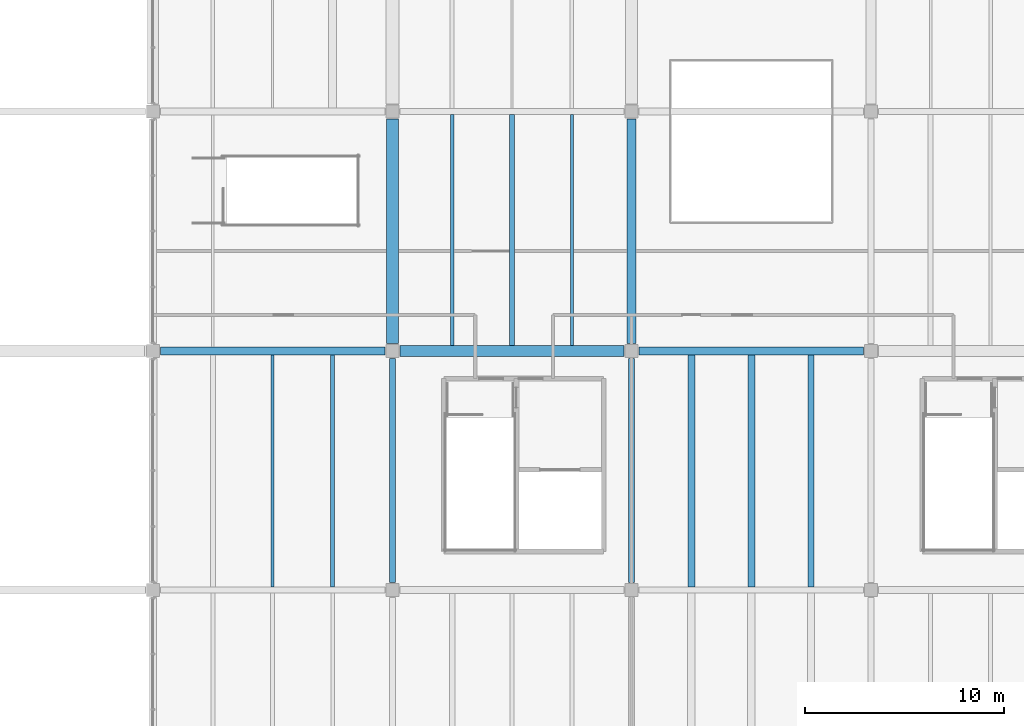
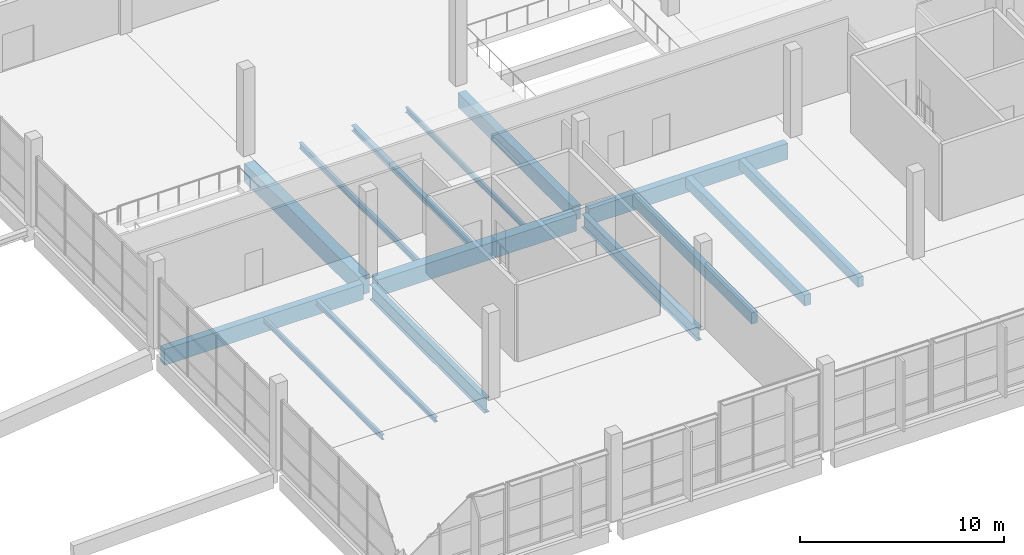
# One storey, part 22 of 112: 15 beams.
"""IFC4 building model written with IfcOpenShell, lengths in metres."""

from ifc_helpers import new_model, si_unit, direction, frame, origin, origin_2d, place, context, subcontext, project, spatial, rectangle, i_section, extrude, material, material_profile, profile_set, type_object, element, save


model = new_model("IFC4")

# Units and contexts
model_context = context("Model", 3, precision=1e-05, world=origin(), true_north=direction((0.0, 1.0)))
body_context = subcontext(model_context, "Body", "Model", "MODEL_VIEW")
ifc_project = project(units=[si_unit("LENGTHUNIT", "METRE"), si_unit("AREAUNIT", "SQUARE_METRE"), si_unit("VOLUMEUNIT", "CUBIC_METRE"), si_unit("PLANEANGLEUNIT", "RADIAN"), si_unit("MASSUNIT", "GRAM", prefix="KILO")], contexts=[model_context])

# Site, building, storey
site_placement = place(None, origin())
site = spatial("IfcSite", under=ifc_project, at=site_placement, CompositionType="ELEMENT")
building_placement = place(site_placement, origin())
building = spatial("IfcBuilding", under=site, at=building_placement, Name="Kamomehara Wholesale Market", CompositionType="ELEMENT")
storey_placement = place(building_placement, frame((0.0, 0.0, 6.60009765625)))
storey = spatial("IfcBuildingStorey", under=building, at=storey_placement, Name="L01", CompositionType="ELEMENT", Elevation=6.60009765625)

# Beams
ifc_material_1 = material(Name="Precast concrete Fc45 (C40/50)", Category="concrete")
ifc_material_profile_1 = material_profile(ifc_material_1, rectangle(XDim=0.60009765625, YDim=1.10009765625, at=origin_2d()), Name="PC-GRD-600x1100")
ifc_profile_set_1 = profile_set([ifc_material_profile_1], Name="Precast concrete Fc45 (C40/50)")
beam_type_1 = type_object("IfcBeamType", Name="BM-PG1100", PredefinedType="T_BEAM", material=ifc_profile_set_1)
beam_1_placement = place(storey_placement, frame((72.0, 36.375, -0.902099609375), z_axis=(0.0, 1.0, 0.0), x_axis=(-1.0, 0.0, 0.0)))
element("IfcBeam", 1, at=beam_1_placement, inside=storey, type_object=beam_type_1, Name="Beam PG-07 L01", PredefinedType="T_BEAM", context=body_context, shape_type="SweptSolid", body=[
    extrude(rectangle(XDim=0.60009765625, YDim=1.10009765625, at=origin_2d()), origin(), (0.0, 0.0, 1.0), 11.25),
])
ifc_material_2 = material(Name="Precast concrete Fc45 (C40/50)", Category="concrete")
ifc_material_profile_2 = material_profile(ifc_material_2, rectangle(XDim=0.449951171875, YDim=0.85009765625, at=origin_2d()), Name="PC-GRD-450x850")
ifc_profile_set_2 = profile_set([ifc_material_profile_2], Name="Precast concrete Fc45 (C40/50)")
beam_type_2 = type_object("IfcBeamType", Name="BM-PG850", PredefinedType="T_BEAM", material=ifc_profile_set_2)
beam_2_placement = place(storey_placement, frame((84.0, 36.375, -0.777099609375), z_axis=(0.0, 1.0, 0.0), x_axis=(-1.0, 0.0, 0.0)))
element("IfcBeam", 2, at=beam_2_placement, inside=storey, type_object=beam_type_2, Name="Beam PG-11 L01", PredefinedType="T_BEAM", context=body_context, shape_type="SweptSolid", body=[
    extrude(rectangle(XDim=0.449951171875, YDim=0.85009765625, at=origin_2d()), origin(), (0.0, 0.0, 1.0), 11.25),
])
ifc_material_3 = material(Name="Precast concrete Fc45 (C40/50)", Category="concrete")
ifc_material_profile_3 = material_profile(ifc_material_3, rectangle(XDim=0.300048828125, YDim=0.60009765625, at=origin_2d()), Name="PC-JST-300x600")
ifc_profile_set_3 = profile_set([ifc_material_profile_3], Name="Precast concrete Fc45 (C40/50)")
beam_type_3 = type_object("IfcBeamType", Name="BM-PJ600B", PredefinedType="JOIST", material=ifc_profile_set_3)
beam_3_placement = place(storey_placement, frame((93.0, 24.14990234375, -0.652099609375), z_axis=(0.0, 1.0, 0.0), x_axis=(-1.0, 0.0, 0.0)))
element("IfcBeam", 3, at=beam_3_placement, inside=storey, type_object=beam_type_3, Name="Beam PJ-10 L01", PredefinedType="JOIST", context=body_context, shape_type="SweptSolid", body=[
    extrude(rectangle(XDim=0.300048828125, YDim=0.60009765625, at=origin_2d()), origin(), (0.0, 0.0, 1.0), 11.650146484375),
])
ifc_material_4 = material(Name="Precast concrete Fc45 (C40/50)", Category="concrete")
ifc_material_profile_4 = material_profile(ifc_material_4, rectangle(XDim=0.35009765625, YDim=0.64990234375, at=origin_2d()), Name="PC-JST-350x650")
ifc_profile_set_4 = profile_set([ifc_material_profile_4], Name="Precast concrete Fc45 (C40/50)")
beam_type_4 = type_object("IfcBeamType", Name="BM-PJ650", PredefinedType="JOIST", material=ifc_profile_set_4)
beam_4_placement = place(storey_placement, frame((90.0, 24.14990234375, -0.677001953125), z_axis=(0.0, 1.0, 0.0), x_axis=(-1.0, 0.0, 0.0)))
element("IfcBeam", 4, at=beam_4_placement, inside=storey, type_object=beam_type_4, Name="Beam PJ-04 L01", PredefinedType="JOIST", context=body_context, shape_type="SweptSolid", body=[
    extrude(rectangle(XDim=0.35009765625, YDim=0.64990234375, at=origin_2d()), origin(), (0.0, 0.0, 1.0), 11.650146484375),
])
ifc_material_5 = material(Name="Precast concrete Fc45 (C40/50)", Category="concrete")
ifc_material_profile_5 = material_profile(ifc_material_5, rectangle(XDim=0.340087890625, YDim=0.679931640625, at=origin_2d()), Name="PC-JST-340x680")
ifc_profile_set_5 = profile_set([ifc_material_profile_5], Name="Precast concrete Fc45 (C40/50)")
beam_type_5 = type_object("IfcBeamType", Name="BM-PJ680", PredefinedType="JOIST", material=ifc_profile_set_5)
beam_5_placement = place(storey_placement, frame((87.0, 24.14990234375, -0.692138671875), z_axis=(0.0, 1.0, 0.0), x_axis=(-1.0, 0.0, 0.0)))
element("IfcBeam", 5, at=beam_5_placement, inside=storey, type_object=beam_type_5, Name="Beam PJ-09 L01", PredefinedType="JOIST", context=body_context, shape_type="SweptSolid", body=[
    extrude(rectangle(XDim=0.340087890625, YDim=0.679931640625, at=origin_2d()), origin(), (0.0, 0.0, 1.0), 11.650146484375),
])
ifc_material_6 = material(Name="Concrete Fc36 (C35/45)", Category="concrete")
ifc_material_profile_6 = material_profile(ifc_material_6, rectangle(XDim=0.550048828125, YDim=1.0, at=origin_2d()), Name="RC-SEB-550x1000")
ifc_profile_set_6 = profile_set([ifc_material_profile_6], Name="Concrete Fc36 (C35/45)")
beam_type_6 = type_object("IfcBeamType", Name="BM-SEB1000-EXT", PredefinedType="SPANDREL", material=ifc_profile_set_6)
beam_6_placement = place(storey_placement, frame((72.375, 36.0, -0.85205078125), z_axis=(1.0, 0.0, 0.0), x_axis=(0.0, 1.0, 0.0)))
element("IfcBeam", 6, at=beam_6_placement, inside=storey, type_object=beam_type_6, Name="Beam SEB-03E L01", PredefinedType="SPANDREL", context=body_context, shape_type="SweptSolid", body=[
    extrude(rectangle(XDim=0.550048828125, YDim=1.0, at=origin_2d()), origin(), (0.0, 0.0, 1.0), 11.25),
])
ifc_material_7 = material(Name="Precast concrete Fc45 (C40/50)", Category="concrete")
ifc_material_profile_7 = material_profile(ifc_material_7, rectangle(XDim=0.39990234375, YDim=0.949951171875, at=origin_2d()), Name="PC-SPN-400x950")
ifc_profile_set_7 = profile_set([ifc_material_profile_7], Name="Precast concrete Fc45 (C40/50)")
beam_type_7 = type_object("IfcBeamType", Name="BM-SPN950-EXT", PredefinedType="SPANDREL", material=ifc_profile_set_7)
for number, where, z_axis, x_axis, name in (
    (7, (60.375, 36.0, -0.817138671875), (1.0, 0.0, 0.0), (0.0, 1.0, 0.0), "Beam SPN-01E L01"),
    (8, (84.375, 36.0, -0.8271484375), (1.0, 0.0, 0.0), (0.0, 1.0, 0.0), "Beam SPN-01E L01"),
):
    element("IfcBeam", number, at=place(storey_placement, frame(where, z_axis=z_axis, x_axis=x_axis)), inside=storey, type_object=beam_type_7, Name=name, PredefinedType="SPANDREL", context=body_context, shape_type="SweptSolid", body=[
        extrude(rectangle(XDim=0.39990234375, YDim=0.949951171875, at=origin_2d()), origin(), (0.0, 0.0, 1.0), 11.25),
    ])
ifc_material_8 = material(Name="Steel SN400B", Category="steel")
ifc_material_profile_8 = material_profile(ifc_material_8, i_section(OverallWidth=0.199951171875, OverallDepth=0.2939453125, WebThickness=0.008056640625, FlangeThickness=0.011962890625, FilletRadius=0.012939453125, at=origin_2d()), Name="H-294x200x8x12")
ifc_profile_set_8 = profile_set([ifc_material_profile_8], Name="Steel SN400B")
beam_type_8 = type_object("IfcBeamType", Name="BM-ST-H294", PredefinedType="JOIST", material=ifc_profile_set_8)
beam_7_placement = place(storey_placement, frame((69.0, 24.14990234375, -0.489013671875), z_axis=(0.0, 1.0, 0.0), x_axis=(-1.0, 0.0, 0.0)))
element("IfcBeam", 9, at=beam_7_placement, inside=storey, type_object=beam_type_8, Name="Beam SJ-09 L01", PredefinedType="JOIST", context=body_context, shape_type="SweptSolid", body=[
    extrude(i_section(OverallWidth=0.199951171875, OverallDepth=0.2939453125, WebThickness=0.008056640625, FlangeThickness=0.011962890625, FilletRadius=0.012939453125, at=origin_2d()), origin(), (0.0, 0.0, 1.0), 11.650146484375),
])
ifc_material_9 = material(Name="Steel SN400B", Category="steel")
ifc_material_profile_9 = material_profile(ifc_material_9, i_section(OverallWidth=0.14990234375, OverallDepth=0.300048828125, WebThickness=0.006591796875, FlangeThickness=0.009033203125, FilletRadius=0.012939453125, at=origin_2d()), Name="H-300x150x6.5x9")
ifc_profile_set_9 = profile_set([ifc_material_profile_9], Name="Steel SN400B")
beam_type_9 = type_object("IfcBeamType", Name="BM-ST-H300", PredefinedType="JOIST", material=ifc_profile_set_9)
beam_8_placement = place(storey_placement, frame((66.0, 24.14990234375, -0.4921875), z_axis=(0.0, 1.0, 0.0), x_axis=(-1.0, 0.0, 0.0)))
element("IfcBeam", 10, at=beam_8_placement, inside=storey, type_object=beam_type_9, Name="Beam SJ-05 L01", PredefinedType="JOIST", context=body_context, shape_type="SweptSolid", body=[
    extrude(i_section(OverallWidth=0.14990234375, OverallDepth=0.300048828125, WebThickness=0.006591796875, FlangeThickness=0.009033203125, FilletRadius=0.012939453125, at=origin_2d()), origin(), (0.0, 0.0, 1.0), 11.650146484375),
])
beam_9_placement = place(storey_placement, frame((81.0, 36.27490234375, -0.502197265625), z_axis=(0.0, 1.0, 0.0), x_axis=(-1.0, 0.0, 0.0)))
element("IfcBeam", 11, at=beam_9_placement, inside=storey, type_object=beam_type_9, Name="Beam SJ-05 L01", PredefinedType="JOIST", context=body_context, shape_type="SweptSolid", body=[
    extrude(i_section(OverallWidth=0.14990234375, OverallDepth=0.300048828125, WebThickness=0.006591796875, FlangeThickness=0.009033203125, FilletRadius=0.012939453125, at=origin_2d()), origin(), (0.0, 0.0, 1.0), 11.5751953125),
])
ifc_material_10 = material(Name="Steel SN490B", Category="steel")
ifc_material_profile_10 = material_profile(ifc_material_10, i_section(OverallWidth=0.25, OverallDepth=0.340087890625, WebThickness=0.009033203125, FlangeThickness=0.013916015625, FilletRadius=0.012939453125, at=origin_2d()), Name="H-340x250x9x14")
ifc_profile_set_10 = profile_set([ifc_material_profile_10], Name="Steel SN490B")
beam_type_10 = type_object("IfcBeamType", Name="BM-ST-H340", PredefinedType="JOIST", material=ifc_profile_set_10)
beam_10_placement = place(storey_placement, frame((78.0, 36.27490234375, -0.522216796875), z_axis=(0.0, 1.0, 0.0), x_axis=(-1.0, 0.0, 0.0)))
element("IfcBeam", 12, at=beam_10_placement, inside=storey, type_object=beam_type_10, Name="Beam SJ-08 L01", PredefinedType="JOIST", context=body_context, shape_type="SweptSolid", body=[
    extrude(i_section(OverallWidth=0.25, OverallDepth=0.340087890625, WebThickness=0.009033203125, FlangeThickness=0.013916015625, FilletRadius=0.012939453125, at=origin_2d()), origin(), (0.0, 0.0, 1.0), 11.5751953125),
])
ifc_material_11 = material(Name="Steel SN400B", Category="steel")
ifc_material_profile_11 = material_profile(ifc_material_11, i_section(OverallWidth=0.175048828125, OverallDepth=0.35009765625, WebThickness=0.007080078125, FlangeThickness=0.010986328125, FilletRadius=0.012939453125, at=origin_2d()), Name="H-350x175x7x11")
ifc_profile_set_11 = profile_set([ifc_material_profile_11], Name="Steel SN400B")
beam_type_11 = type_object("IfcBeamType", Name="BM-ST-H350", PredefinedType="JOIST", material=ifc_profile_set_11)
beam_11_placement = place(storey_placement, frame((75.0, 36.27490234375, -0.527099609375), z_axis=(0.0, 1.0, 0.0), x_axis=(-1.0, 0.0, 0.0)))
element("IfcBeam", 13, at=beam_11_placement, inside=storey, type_object=beam_type_11, Name="Beam SJ-04 L01", PredefinedType="JOIST", context=body_context, shape_type="SweptSolid", body=[
    extrude(i_section(OverallWidth=0.175048828125, OverallDepth=0.35009765625, WebThickness=0.007080078125, FlangeThickness=0.010986328125, FilletRadius=0.012939453125, at=origin_2d()), origin(), (0.0, 0.0, 1.0), 11.5751953125),
])
ifc_material_12 = material(Name="Steel SN490B", Category="steel")
ifc_material_profile_12 = material_profile(ifc_material_12, i_section(OverallWidth=0.300048828125, OverallDepth=0.7919921875, WebThickness=0.013916015625, FlangeThickness=0.02197265625, FilletRadius=0.02392578125, at=origin_2d()), Name="H-792x300x14x22")
ifc_profile_set_12 = profile_set([ifc_material_profile_12], Name="Steel SN490B")
beam_type_12 = type_object("IfcBeamType", Name="BM-ST-H792", PredefinedType="BEAM", material=ifc_profile_set_12)
beam_12_placement = place(storey_placement, frame((84.0, 24.375, -0.748046875), z_axis=(0.0, 1.0, 0.0), x_axis=(-1.0, 0.0, 0.0)))
element("IfcBeam", 14, at=beam_12_placement, inside=storey, type_object=beam_type_12, Name="Beam SG-09 L01", PredefinedType="BEAM", context=body_context, shape_type="SweptSolid", body=[
    extrude(i_section(OverallWidth=0.300048828125, OverallDepth=0.7919921875, WebThickness=0.013916015625, FlangeThickness=0.02197265625, FilletRadius=0.02392578125, at=origin_2d()), origin(), (0.0, 0.0, 1.0), 11.25),
])
ifc_material_13 = material(Name="Steel SN490B", Category="steel")
ifc_material_profile_13 = material_profile(ifc_material_13, i_section(OverallWidth=0.300048828125, OverallDepth=0.89990234375, WebThickness=0.01611328125, FlangeThickness=0.028076171875, FilletRadius=0.02392578125, at=origin_2d()), Name="H-900x300x16x28")
ifc_profile_set_13 = profile_set([ifc_material_profile_13], Name="Steel SN490B")
beam_type_13 = type_object("IfcBeamType", Name="BM-ST-H900", PredefinedType="BEAM", material=ifc_profile_set_13)
beam_13_placement = place(storey_placement, frame((72.0, 24.375, -0.802001953125), z_axis=(0.0, 1.0, 0.0), x_axis=(-1.0, 0.0, 0.0)))
element("IfcBeam", 15, at=beam_13_placement, inside=storey, type_object=beam_type_13, Name="Beam SG-01 L01", PredefinedType="BEAM", context=body_context, shape_type="SweptSolid", body=[
    extrude(i_section(OverallWidth=0.300048828125, OverallDepth=0.89990234375, WebThickness=0.01611328125, FlangeThickness=0.028076171875, FilletRadius=0.02392578125, at=origin_2d()), origin(), (0.0, 0.0, 1.0), 11.25),
])

save(model, "model.ifc")
